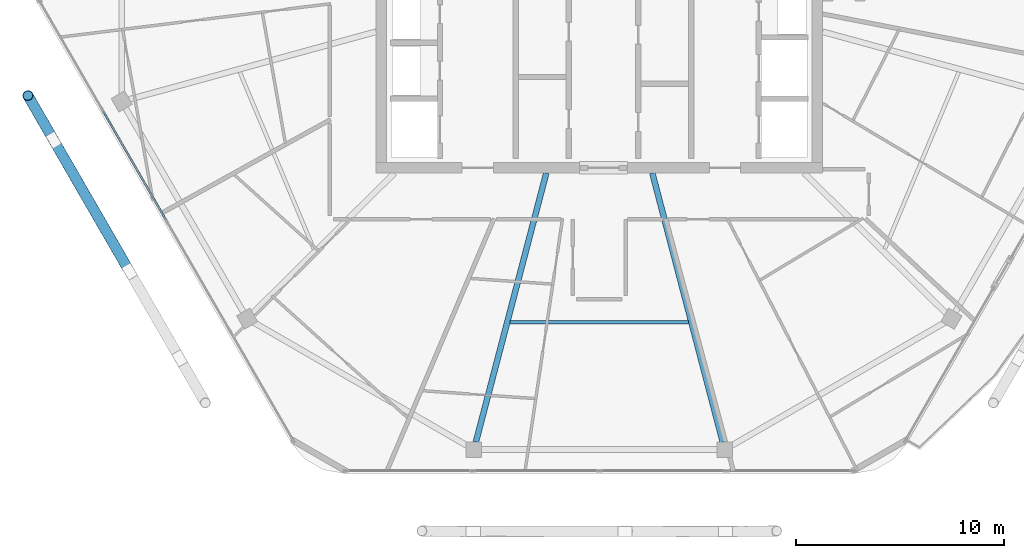
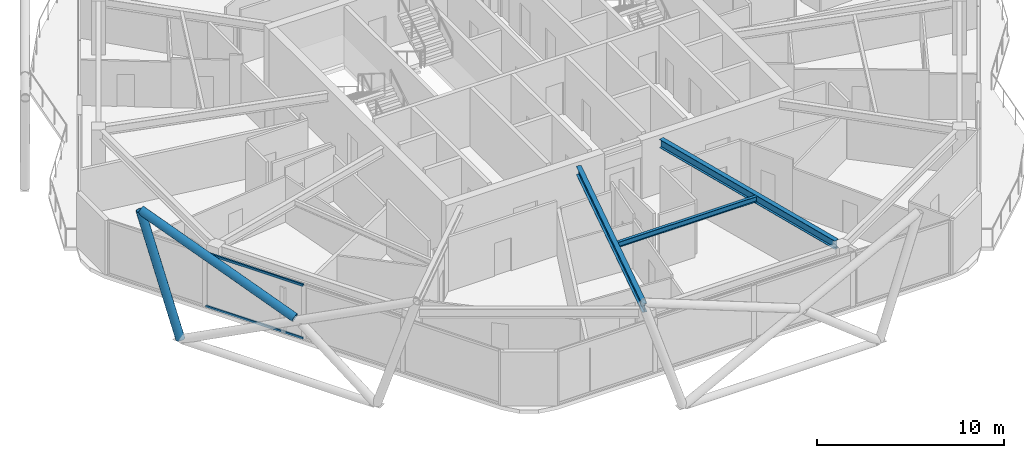
# One storey, part 5 of 24: 4 members, 3 beams, 1 element without a shape of its own.
"""IFC4 building model written with IfcOpenShell, lengths in metres."""

import ifcopenshell
import ifcopenshell.guid

model = None  # the IFC model being written
_history = None  # IfcOwnerHistory: only IFC2X3 demands one
_inside = {}  # id of a spatial element -> (the spatial element, [elements in it])
_under = {}  # id of a project, library or spatial element -> (it, [spatial elements below it])
_declared = {}  # id of a project -> (the project, [libraries it declares])
_typed = {}  # id of a type object -> (the type object, [elements of that type])
_made_of = {}  # id of a material, layer set ... -> (it, [elements and type objects made of it])


def new_model(schema):
    """Start an empty IFC model of exactly this schema.

    Asked for "IFC4X3", IfcOpenShell would pick the latest addendum, in which some entities
    have other attributes; the version numbers below select the first issue.
    IFC2X3 requires an IfcOwnerHistory on every rooted entity: one is made here for all.
    """
    global model, _history
    if schema == "IFC4X3":
        model = ifcopenshell.file(schema_version=(4, 3, 0, 0))
    else:
        model = ifcopenshell.file(schema=schema)
    _inside.clear()
    _under.clear()
    _declared.clear()
    _typed.clear()
    _made_of.clear()
    _history = None
    if model.schema == "IFC2X3":
        org = make("IfcOrganization", Name="unknown")
        user = make(
            "IfcPersonAndOrganization",
            ThePerson=make("IfcPerson", FamilyName="unknown"),
            TheOrganization=org,
        )
        app = make(
            "IfcApplication",
            ApplicationDeveloper=org,
            Version="unknown",
            ApplicationFullName="unknown",
            ApplicationIdentifier="unknown",
        )
        _history = make(
            "IfcOwnerHistory",
            OwningUser=user,
            OwningApplication=app,
            ChangeAction="ADDED",
            CreationDate=0,
        )
    return model


def make(cls, **values):
    """One entity of the class cls with the attributes given. An attribute that is None is left unset."""
    return model.create_entity(
        cls, **{name: value for name, value in values.items() if value is not None}
    )


def rooted(cls, **values):
    """An entity with a GlobalId (a new one), such as an element, a storey or a relation."""
    return make(cls, GlobalId=ifcopenshell.guid.new(), OwnerHistory=_history, **values)


def si_unit(unit_type, name, prefix=None):
    """IfcSIUnit, for example si_unit("LENGTHUNIT", "METRE", prefix="MILLI")."""
    return make("IfcSIUnit", UnitType=unit_type, Prefix=prefix, Name=name)


def assignment(units):
    """IfcUnitAssignment: the units of a project."""
    return None if units is None else make("IfcUnitAssignment", Units=units)


def point(xyz):
    """IfcCartesianPoint."""
    return None if xyz is None else make("IfcCartesianPoint", Coordinates=xyz)


def direction(xyz):
    """IfcDirection."""
    return None if xyz is None else make("IfcDirection", DirectionRatios=xyz)


def frame(location, z_axis=None, x_axis=None):
    """IfcAxis2Placement3D, a coordinate frame: its origin and axes. An axis left out is left unset."""
    return make(
        "IfcAxis2Placement3D",
        Location=point(location),
        Axis=direction(z_axis),
        RefDirection=direction(x_axis),
    )


def frame_2d(location, x_axis=None):
    """IfcAxis2Placement2D, a coordinate frame in the plane: its origin and x axis."""
    return make(
        "IfcAxis2Placement2D", Location=point(location), RefDirection=direction(x_axis)
    )


def origin():
    """The frame at (0, 0, 0) with its axes left unset."""
    return frame((0.0, 0.0, 0.0))


def origin_2d():
    """The frame at (0, 0) in the plane with its x axis left unset."""
    return frame_2d((0.0, 0.0))


def place(relative_to, where):
    """IfcLocalPlacement: puts the frame where relative to a parent placement (None: the world)."""
    return make(
        "IfcLocalPlacement", PlacementRelTo=relative_to, RelativePlacement=where
    )


def context(
    kind, dimensions, precision=None, world=None, true_north=None, identifier=None
):
    """IfcGeometricRepresentationContext, for example the 3D "Model" context."""
    return make(
        "IfcGeometricRepresentationContext",
        ContextIdentifier=identifier,
        ContextType=kind,
        CoordinateSpaceDimension=dimensions,
        Precision=precision,
        WorldCoordinateSystem=world,
        TrueNorth=true_north,
    )


def subcontext(parent, identifier, kind, view, scale=None):
    """IfcGeometricRepresentationSubContext, for example "Body" below "Model"."""
    return make(
        "IfcGeometricRepresentationSubContext",
        ContextIdentifier=identifier,
        ContextType=kind,
        ParentContext=parent,
        TargetScale=scale,
        TargetView=view,
    )


def project(units=None, contexts=None):
    """IfcProject with its units and contexts."""
    return rooted(
        "IfcProject",
        Name="project",
        RepresentationContexts=contexts,
        UnitsInContext=assignment(units),
    )


def spatial(cls, under=None, at=None, **own):
    """A site, building, storey or space (cls), placed at a placement, below another one or the project."""
    s = rooted(cls, ObjectPlacement=at, **own)
    if under is not None:
        _under.setdefault(under.id(), (under, []))[1].append(s)
    return s


def profile(cls, at=None, kind="AREA", **sizes):
    """A parametric profile (cls). Its sizes go by their IFC names, for example OverallWidth=200.0."""
    return make(cls, ProfileType=kind, Position=at, **sizes)


def hollow_rectangle(**sizes):
    """IfcRectangleHollowProfileDef."""
    return profile("IfcRectangleHollowProfileDef", **sizes)


def hollow_circle(**sizes):
    """IfcCircleHollowProfileDef."""
    return profile("IfcCircleHollowProfileDef", **sizes)


def i_section(**sizes):
    """IfcIShapeProfileDef."""
    return profile("IfcIShapeProfileDef", **sizes)


def extrude(swept, where, along, depth):
    """IfcExtrudedAreaSolid: the profile swept, set in the frame where, extruded along a direction by depth."""
    return make(
        "IfcExtrudedAreaSolid",
        SweptArea=swept,
        Position=where,
        ExtrudedDirection=direction(along),
        Depth=depth,
    )


def shape(context_of_items, identifier, shape_type, items):
    """IfcShapeRepresentation: the items that make up one representation, for example the "Body"."""
    return make(
        "IfcShapeRepresentation",
        ContextOfItems=context_of_items,
        RepresentationIdentifier=identifier,
        RepresentationType=shape_type,
        Items=items,
    )


def material(Name=None, Category=None):
    """IfcMaterial."""
    return make("IfcMaterial", Name=Name, Category=Category)


def material_profile(
    of_material, cross_section, Name=None, Category=None, Priority=None
):
    """IfcMaterialProfile: a cross section and its material."""
    return make(
        "IfcMaterialProfile",
        Name=Name,
        Material=of_material,
        Profile=cross_section,
        Priority=Priority,
        Category=Category,
    )


def profile_set(profiles, Name=None, composite=None):
    """IfcMaterialProfileSet."""
    return make(
        "IfcMaterialProfileSet",
        Name=Name,
        MaterialProfiles=profiles,
        CompositeProfile=composite,
    )


def made_of(thing, what):
    """Note that an element or type object is made of a material, layer set ...; save() writes the relation."""
    if what is not None:
        _made_of.setdefault(what.id(), (what, []))[1].append(thing)
    return thing


def type_object(cls, material=None, **own):
    """A type object (cls), such as IfcWallType, which elements share."""
    return made_of(rooted(cls, **own), material)


def element(
    cls,
    number,
    at=None,
    inside=None,
    cuts=None,
    type_object=None,
    material=None,
    context=None,
    identifier="Body",
    shape_type=None,
    held_by="IfcProductDefinitionShape",
    body=None,
    shapes=None,
    **own,
):
    """One element of the class cls, such as IfcWall. Its Tag is "e" and its number.

    at: its placement. inside: the storey or other place that contains it. cuts: it is an
    opening in that element (IfcRelVoidsElement). A single representation is given by context,
    identifier, shape_type and body (its items); several are given by shapes. held_by: the class
    of the entity that holds the representations. save() writes the other relations.
    """
    e = rooted(cls, Tag="e%d" % number, ObjectPlacement=at, **own)
    if body is not None:
        shapes = [shape(context, identifier, shape_type, body)]
    if shapes is not None:
        e.Representation = make(held_by, Representations=shapes)
    if inside is not None:
        _inside.setdefault(inside.id(), (inside, []))[1].append(e)
    if cuts is not None:
        rooted(
            "IfcRelVoidsElement", RelatingBuildingElement=cuts, RelatedOpeningElement=e
        )
    if type_object is not None:
        _typed.setdefault(type_object.id(), (type_object, []))[1].append(e)
    return made_of(e, material)


def aggregate(whole, parts):
    """IfcRelAggregates: a whole, such as a stair, and the parts it consists of."""
    return rooted("IfcRelAggregates", RelatingObject=whole, RelatedObjects=parts)


def save(model, path):
    """Write the relations noted so far, then the file.

    IfcRelAggregates (storeys below a building ...), IfcRelContainedInSpatialStructure (elements
    in a storey), IfcRelDefinesByType, IfcRelAssociatesMaterial and IfcRelDeclares: one each for
    every whole, place, type object, material and project.
    """
    for whole, parts in _under.values():
        aggregate(whole, parts)
    for where, things in _inside.values():
        rooted(
            "IfcRelContainedInSpatialStructure",
            RelatedElements=things,
            RelatingStructure=where,
        )
    for kind, things in _typed.values():
        rooted("IfcRelDefinesByType", RelatedObjects=things, RelatingType=kind)
    for what, things in _made_of.values():
        rooted("IfcRelAssociatesMaterial", RelatedObjects=things, RelatingMaterial=what)
    for by, libraries in _declared.values():
        rooted("IfcRelDeclares", RelatingContext=by, RelatedDefinitions=libraries)
    model.write(path)


model = new_model("IFC4")

# Units and contexts
model_context = context("Model", 3, precision=1e-05, world=origin(), true_north=direction((0.0, 1.0)))
body_context = subcontext(model_context, "Body", "Model", "MODEL_VIEW")
ifc_project = project(units=[si_unit("LENGTHUNIT", "METRE"), si_unit("AREAUNIT", "SQUARE_METRE"), si_unit("VOLUMEUNIT", "CUBIC_METRE"), si_unit("PLANEANGLEUNIT", "RADIAN"), si_unit("MASSUNIT", "GRAM", prefix="KILO")], contexts=[model_context])

# Site, building, storey
site_placement = place(None, origin())
site = spatial("IfcSite", under=ifc_project, at=site_placement, CompositionType="ELEMENT")
building_placement = place(site_placement, origin())
building = spatial("IfcBuilding", under=site, at=building_placement, Name="Zuhravey Tower", CompositionType="ELEMENT")
storey_placement = place(building_placement, frame((0.0, 0.0, 338.60009765625)))
storey = spatial("IfcBuildingStorey", under=building, at=storey_placement, Name="L86", CompositionType="ELEMENT", Elevation=338.60009765625)

# Curtain wall, members
ifc_material_1 = material(Name="Thermally broken anodised aluminium", Category="aluminium")
curtain_wall_type = type_object("IfcCurtainWallType", Name="Zone 3-4 High-Rise Curtain Wall CW4", PredefinedType="NOTDEFINED", material=ifc_material_1)
curtain_wall_placement = place(storey_placement, origin())
curtain_wall = element("IfcCurtainWall", 1, at=curtain_wall_placement, inside=storey, type_object=curtain_wall_type, Name="L86 CW4 CW-L86-F4-1", PredefinedType="NOTDEFINED")
ifc_material_2 = material(Name="Anodised aluminium", Category="aluminium")
ifc_material_profile_1 = material_profile(ifc_material_2, hollow_rectangle(XDim=0.090087890625, YDim=0.14990234375, WallThickness=0.0048828125, at=origin_2d()), Name="ALU-RHS-90x150x5")
ifc_profile_set_1 = profile_set([ifc_material_profile_1], Name="Anodised aluminium")
member_type_1 = type_object("IfcMemberType", Name="Curtain-Wall Transom 90x150", PredefinedType="USERDEFINED", material=ifc_profile_set_1)
member_1_placement = place(storey_placement, frame((15.128662109375, 20.001953125, 0.044921875), z_axis=(-0.499988837749, 0.866031848217, 0.0), x_axis=(-0.866031848217, -0.499988837749, 0.0)))
member_1 = element("IfcMember", 2, at=member_1_placement, type_object=member_type_1, Name="CW4 transom 3.1", ObjectType="TRANSOM", PredefinedType="USERDEFINED", context=body_context, shape_type="SweptSolid", body=[
    extrude(hollow_rectangle(XDim=0.090087890625, YDim=0.14990234375, WallThickness=0.0048828125, at=origin_2d()), origin(), (0.0, 0.0, 1.0), 6.029541015625),
])
member_2_placement = place(storey_placement, frame((15.128662109375, 20.001953125, 3.5048828125), z_axis=(-0.499988837749, 0.866031848217, 0.0), x_axis=(-0.866031848217, -0.499988837749, 0.0)))
member_2 = element("IfcMember", 3, at=member_2_placement, type_object=member_type_1, Name="CW4 transom 3.2", ObjectType="TRANSOM", PredefinedType="USERDEFINED", context=body_context, shape_type="SweptSolid", body=[
    extrude(hollow_rectangle(XDim=0.090087890625, YDim=0.14990234375, WallThickness=0.0048828125, at=origin_2d()), origin(), (0.0, 0.0, 1.0), 6.029541015625),
])
aggregate(curtain_wall, [member_1, member_2])

# Members
ifc_material_3 = material(Name="Steel SM355", Category="steel")
ifc_material_profile_2 = material_profile(ifc_material_3, hollow_circle(Radius=0.25390625, WallThickness=0.02490234375, at=origin_2d()), Name="CHS-508.0x25")
ifc_profile_set_2 = profile_set([ifc_material_profile_2], Name="Steel SM355")
member_type_2 = type_object("IfcMemberType", Name="Exoskeleton Zone 4 Diagrid CHS508x25", PredefinedType="BRACE", material=ifc_profile_set_2)
member_3_placement = place(storey_placement, frame((9.724853515625, 23.842041015625, -0.447998046875), z_axis=(-0.155232250241, 0.2688504816, 0.950590535945), x_axis=(-0.866009569118, -0.500027425445, 0.0)))
element("IfcMember", 4, at=member_3_placement, inside=storey, type_object=member_type_2, Name="L86 Face 4 Diagrid Brace 1", PredefinedType="BRACE", context=body_context, shape_type="SweptSolid", body=[
    extrude(hollow_circle(Radius=0.25390625, WallThickness=0.02490234375, at=origin_2d()), origin(), (0.0, 0.0, 1.0), 7.961181640625),
])
member_4_placement = place(storey_placement, frame((13.267822265625, 17.705078125, 3.424072265625), z_axis=(-0.466120096099, 0.80734608376, 0.36183470957), x_axis=(-0.866026046022, -0.49999888761, 0.0)))
element("IfcMember", 5, at=member_4_placement, inside=storey, type_object=member_type_2, Name="L86 Face 4 Split Diagrid Brace 3B", PredefinedType="BRACE", context=body_context, shape_type="SweptSolid", body=[
    extrude(hollow_circle(Radius=0.25390625, WallThickness=0.02490234375, at=origin_2d()), origin(), (0.0, 0.0, 1.0), 10.223388671875),
])

# Beams
ifc_material_profile_3 = material_profile(ifc_material_3, i_section(OverallWidth=0.280029296875, OverallDepth=0.550048828125, WebThickness=0.010986328125, FlangeThickness=0.01806640625, at=origin_2d()), Name="H-550x280x11x18")
ifc_profile_set_3 = profile_set([ifc_material_profile_3], Name="Steel SM355")
beam_type_1 = type_object("IfcBeamType", Name="Radial Primary Girder H550x280", PredefinedType="BEAM", material=ifc_profile_set_3)
for number, where, z_axis, x_axis, name in (
    (6, (33.446533203125, 22.2470703125, 3.27490234375), (-0.253282562653, -0.967392342049, 0.0), (0.967392342049, -0.253282562653, 0.0), "L86 RG4 BM-L86-RAD-09"),
    (7, (38.553466796875, 22.2470703125, 3.27490234375), (0.253282562653, -0.967392342049, 0.0), (0.967392342049, 0.253282562653, 0.0), "L86 RG4 BM-L86-RAD-10"),
):
    element("IfcBeam", number, at=place(storey_placement, frame(where, z_axis=z_axis, x_axis=x_axis)), inside=storey, type_object=beam_type_1, Name=name, PredefinedType="BEAM", context=body_context, shape_type="SweptSolid", body=[
        extrude(i_section(OverallWidth=0.280029296875, OverallDepth=0.550048828125, WebThickness=0.010986328125, FlangeThickness=0.01806640625, at=origin_2d()), origin(), (0.0, 0.0, 1.0), 13.3818359375),
    ])
ifc_material_profile_4 = material_profile(ifc_material_3, i_section(OverallWidth=0.175048828125, OverallDepth=0.35009765625, WebThickness=0.007080078125, FlangeThickness=0.010986328125, at=origin_2d()), Name="H-350x175x7x11")
ifc_profile_set_4 = profile_set([ifc_material_profile_4], Name="Steel SM355")
beam_type_2 = type_object("IfcBeamType", Name="Secondary Floor Joist H350x175", PredefinedType="JOIST", material=ifc_profile_set_4)
beam_placement = place(storey_placement, frame((31.70849609375, 15.05908203125, 3.375), z_axis=(1.0, 0.0, 0.0), x_axis=(0.0, 1.0, 0.0)))
element("IfcBeam", 8, at=beam_placement, inside=storey, type_object=beam_type_2, Name="L86 SJ3 BM-L86-SJ-09-1", PredefinedType="JOIST", context=body_context, shape_type="SweptSolid", body=[
    extrude(i_section(OverallWidth=0.175048828125, OverallDepth=0.35009765625, WebThickness=0.007080078125, FlangeThickness=0.010986328125, at=origin_2d()), origin(), (0.0, 0.0, 1.0), 8.5830078125),
])

save(model, "model.ifc")
